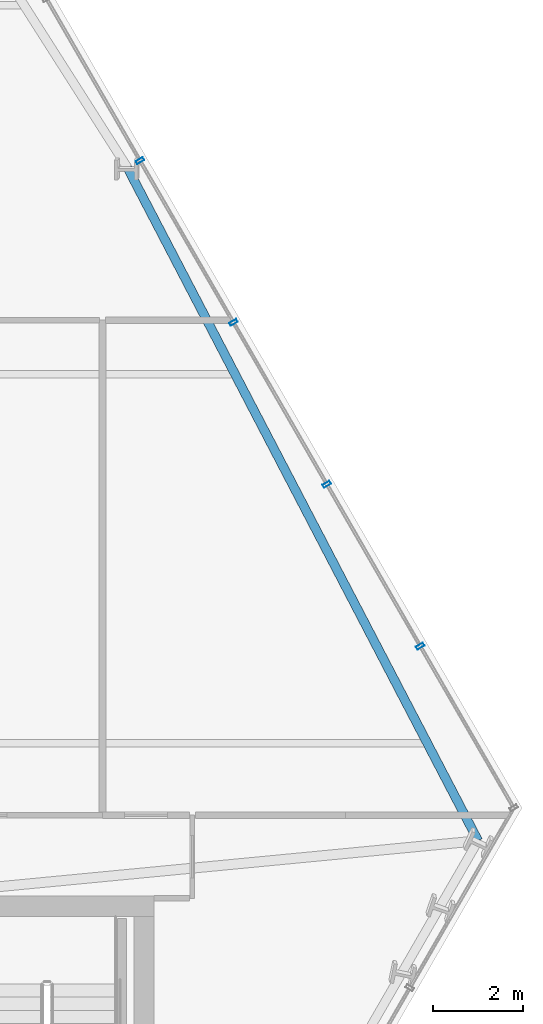
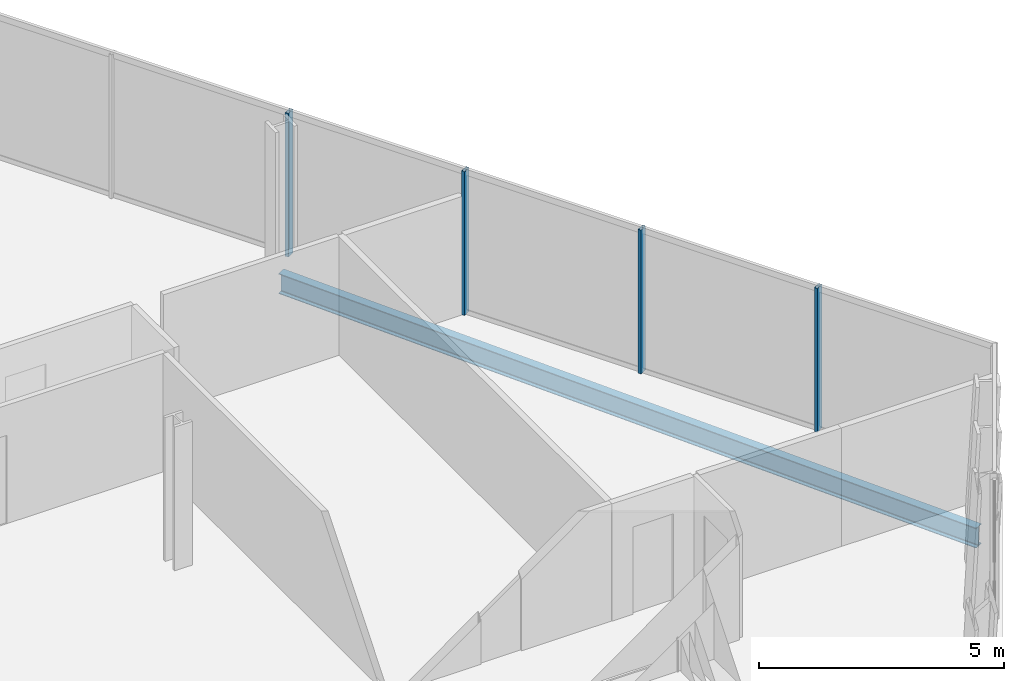
# One storey, part 19 of 32: 4 members, 1 beam, 1 element without a shape of its own.
"""IFC4 building model written with IfcOpenShell, lengths in metres."""

from ifc_helpers import new_model, si_unit, direction, frame, origin, origin_2d, place, context, subcontext, project, spatial, hollow_rectangle, i_section, extrude, material, layer, layer_set, material_profile, profile_set, type_object, element, aggregate, save


model = new_model("IFC4")

# Units and contexts
model_context = context("Model", 3, precision=1e-05, world=origin(), true_north=direction((0.0, 1.0)))
body_context = subcontext(model_context, "Body", "Model", "MODEL_VIEW")
ifc_project = project(units=[si_unit("LENGTHUNIT", "METRE"), si_unit("AREAUNIT", "SQUARE_METRE"), si_unit("VOLUMEUNIT", "CUBIC_METRE"), si_unit("PLANEANGLEUNIT", "RADIAN"), si_unit("MASSUNIT", "GRAM", prefix="KILO")], contexts=[model_context])

# Site, building, storey
site_placement = place(None, origin())
site = spatial("IfcSite", under=ifc_project, at=site_placement, CompositionType="ELEMENT")
building_placement = place(site_placement, origin())
building = spatial("IfcBuilding", under=site, at=building_placement, Name="Ndaravel Arena Tower", CompositionType="ELEMENT")
storey_placement = place(building_placement, frame((0.0, 0.0, 96.800048828125)))
storey = spatial("IfcBuildingStorey", under=building, at=storey_placement, Name="L22", CompositionType="ELEMENT", Elevation=96.800048828125)

# Beam
ifc_material_1 = material(Name="Steel S355", Category="steel")
ifc_material_profile_1 = material_profile(ifc_material_1, i_section(OverallWidth=0.199951171875, OverallDepth=0.5, WebThickness=0.01025390625, FlangeThickness=0.01611328125, FilletRadius=0.02099609375, at=origin_2d()), Name="IPE 500")
ifc_profile_set_1 = profile_set([ifc_material_profile_1], Name="Steel S355")
beam_type = type_object("IfcBeamType", Name="BM-SPAN-IPE500", PredefinedType="SPANDREL", material=ifc_profile_set_1)
beam_placement = place(storey_placement, frame((64.75, 16.4306640625, -0.469970703125), z_axis=(-0.462039036188, 0.886859588119, 0.0), x_axis=(-0.886859588119, -0.462039036188, 0.0)))
element("IfcBeam", 1, at=beam_placement, inside=storey, type_object=beam_type, Name="L22 Perimeter Spandrel Beam SP-09", PredefinedType="SPANDREL", context=body_context, shape_type="SweptSolid", body=[
    extrude(i_section(OverallWidth=0.199951171875, OverallDepth=0.5, WebThickness=0.01025390625, FlangeThickness=0.01611328125, FilletRadius=0.02099609375, at=origin_2d()), origin(), (0.0, 0.0, 1.0), 16.864990234375),
])

# Curtain wall, members
ifc_material_2 = material(Name="Aluminium", Category="aluminium")
ifc_layer = layer(ifc_material_2, 0.179931640625)
ifc_layer_set = layer_set([ifc_layer], Name="Aluminium")
curtain_wall_type = type_object("IfcCurtainWallType", Name="CW-SYS-03", PredefinedType="NOTDEFINED", material=ifc_layer_set)
curtain_wall_placement = place(storey_placement, origin())
curtain_wall = element("IfcCurtainWall", 2, at=curtain_wall_placement, inside=storey, type_object=curtain_wall_type, Name="L22 Faceted Crystal Curtain Wall CW-L22-E03", PredefinedType="NOTDEFINED")
ifc_material_3 = material(Name="Aluminium", Category="aluminium")
ifc_material_profile_2 = material_profile(ifc_material_3, hollow_rectangle(XDim=0.074951171875, YDim=0.179931640625, WallThickness=0.00390625, at=origin_2d()), Name="CW MULLION 75x180x4")
ifc_profile_set_2 = profile_set([ifc_material_profile_2], Name="Aluminium")
member_type = type_object("IfcMemberType", Name="MEM-CW-MUL180", PredefinedType="MULLION", material=ifc_profile_set_2)
member_1_placement = place(storey_placement, frame((63.46435546875, 20.75732421875, 0.0), z_axis=(0.0, 0.0, 1.0), x_axis=(-0.5, 0.866025403784, 0.0)))
member_1 = element("IfcMember", 3, at=member_1_placement, type_object=member_type, Name="CW-L22-E03 Mullion 01", PredefinedType="MULLION", context=body_context, shape_type="SweptSolid", body=[
    extrude(hollow_rectangle(XDim=0.074951171875, YDim=0.179931640625, WallThickness=0.00390625, at=origin_2d()), origin(), (0.0, 0.0, 1.0), 3.579833984375),
])
member_2_placement = place(storey_placement, frame((61.3876953125, 24.35400390625, 0.0), z_axis=(0.0, 0.0, 1.0), x_axis=(-0.5, 0.866025403784, 0.0)))
member_2 = element("IfcMember", 4, at=member_2_placement, type_object=member_type, Name="CW-L22-E03 Mullion 02", PredefinedType="MULLION", context=body_context, shape_type="SweptSolid", body=[
    extrude(hollow_rectangle(XDim=0.074951171875, YDim=0.179931640625, WallThickness=0.00390625, at=origin_2d()), origin(), (0.0, 0.0, 1.0), 3.579833984375),
])
member_3_placement = place(storey_placement, frame((59.311279296875, 27.95068359375, 0.0), z_axis=(0.0, 0.0, 1.0), x_axis=(-0.5, 0.866025403784, 0.0)))
member_3 = element("IfcMember", 5, at=member_3_placement, type_object=member_type, Name="CW-L22-E03 Mullion 03", PredefinedType="MULLION", context=body_context, shape_type="SweptSolid", body=[
    extrude(hollow_rectangle(XDim=0.074951171875, YDim=0.179931640625, WallThickness=0.00390625, at=origin_2d()), origin(), (0.0, 0.0, 1.0), 3.579833984375),
])
member_4_placement = place(storey_placement, frame((57.234619140625, 31.54736328125, 0.0), z_axis=(0.0, 0.0, 1.0), x_axis=(-0.5, 0.866025403784, 0.0)))
member_4 = element("IfcMember", 6, at=member_4_placement, type_object=member_type, Name="CW-L22-E03 Mullion 04", PredefinedType="MULLION", context=body_context, shape_type="SweptSolid", body=[
    extrude(hollow_rectangle(XDim=0.074951171875, YDim=0.179931640625, WallThickness=0.00390625, at=origin_2d()), origin(), (0.0, 0.0, 1.0), 3.579833984375),
])
aggregate(curtain_wall, [member_1, member_2, member_3, member_4])

save(model, "model.ifc")
